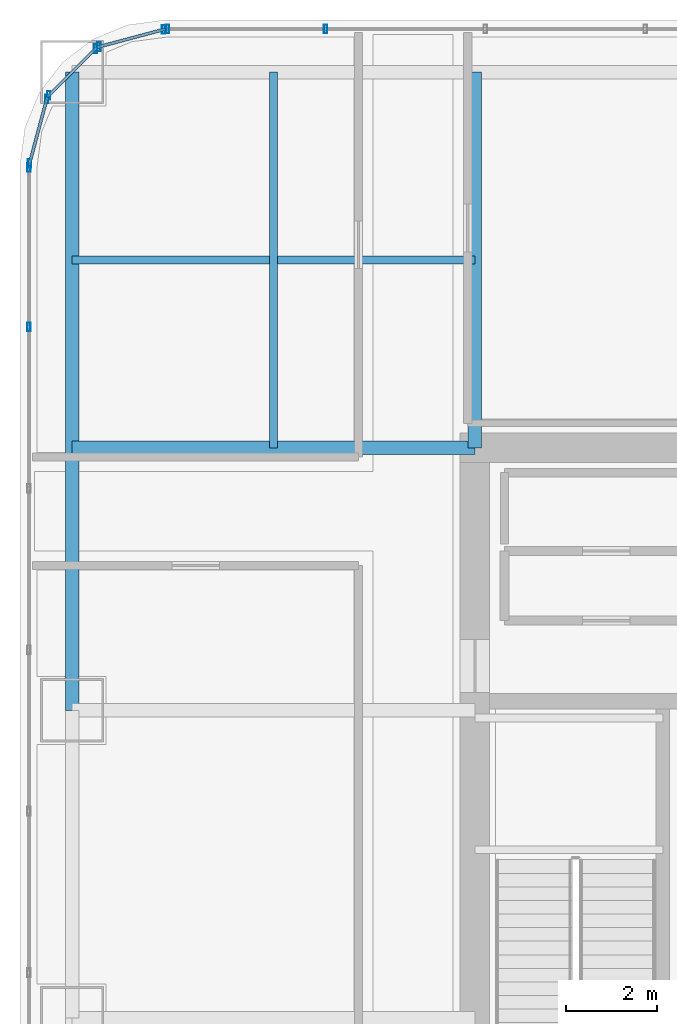
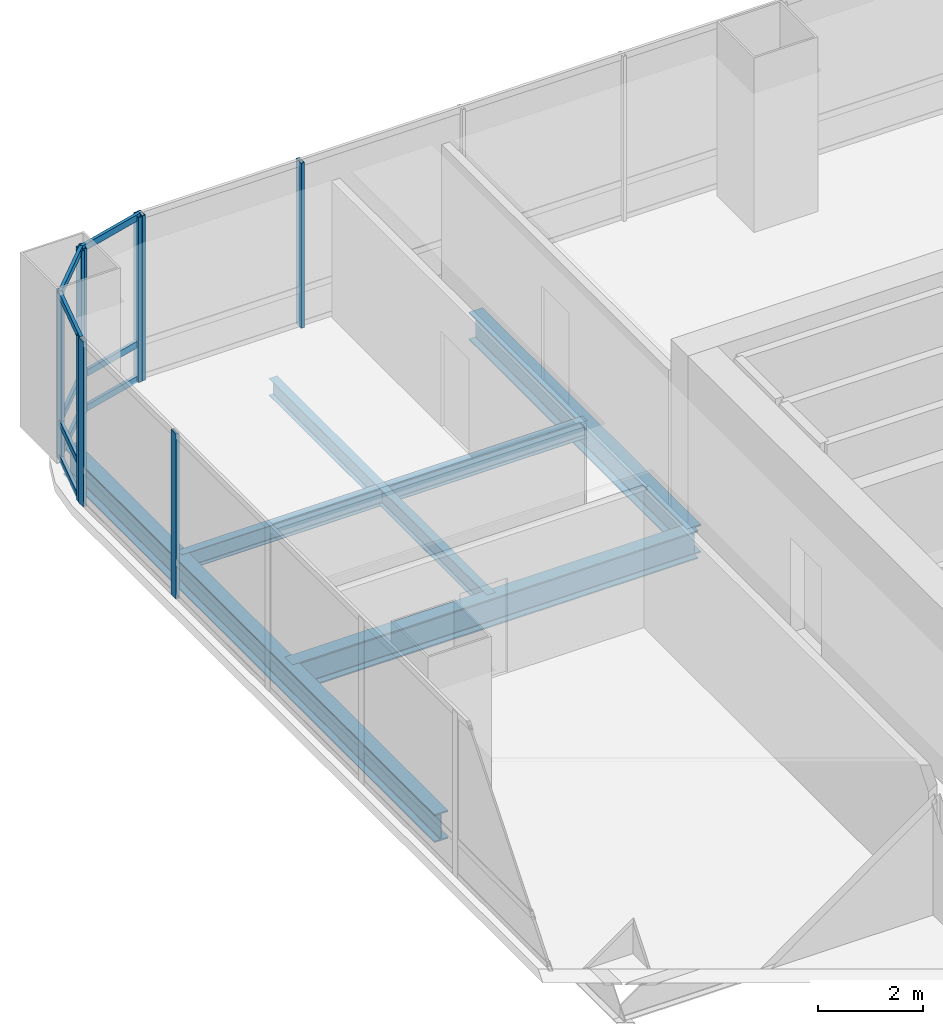
# One storey, part 20 of 36: 19 members, 5 beams, 5 elements without a shape of their own.
"""IFC4 building model written with IfcOpenShell, lengths in metres."""

from ifc_helpers import new_model, si_unit, direction, frame, origin, origin_2d, place, context, subcontext, project, spatial, hollow_rectangle, i_section, extrude, material, material_profile, profile_set, type_object, element, aggregate, save


model = new_model("IFC4")

# Units and contexts
model_context = context("Model", 3, precision=1e-05, world=origin(), true_north=direction((0.0, 1.0)))
body_context = subcontext(model_context, "Body", "Model", "MODEL_VIEW")
ifc_project = project(units=[si_unit("LENGTHUNIT", "METRE"), si_unit("AREAUNIT", "SQUARE_METRE"), si_unit("VOLUMEUNIT", "CUBIC_METRE"), si_unit("PLANEANGLEUNIT", "RADIAN"), si_unit("MASSUNIT", "GRAM", prefix="KILO")], contexts=[model_context])

# Site, building, storey
site_placement = place(None, origin())
site = spatial("IfcSite", under=ifc_project, at=site_placement, CompositionType="ELEMENT")
building_placement = place(site_placement, origin())
building = spatial("IfcBuilding", under=site, at=building_placement, Name="Punatoya Terracotta Tower", CompositionType="ELEMENT")
storey_placement = place(building_placement, frame((0.0, 0.0, 208.64990234375)))
storey = spatial("IfcBuildingStorey", under=building, at=storey_placement, Name="L49", CompositionType="ELEMENT", Elevation=208.64990234375)

# Beams
ifc_material_1 = material(Name="Steel S355", Category="steel")
ifc_material_profile_1 = material_profile(ifc_material_1, i_section(OverallWidth=0.300048828125, OverallDepth=0.64990234375, WebThickness=0.01611328125, FlangeThickness=0.031005859375, FilletRadius=0.01806640625, at=origin_2d()))
ifc_profile_set_1 = profile_set([ifc_material_profile_1], Name="Steel S355")
beam_type_1 = type_object("IfcBeamType", Name="BM-PRI-650", PredefinedType="BEAM", material=ifc_profile_set_1)
beam_1_placement = place(storey_placement, frame((-19.10009765625, 3.39990234375, -0.544921875), z_axis=(0.0, 1.0, 0.0), x_axis=(-1.0, 0.0, 0.0)))
element("IfcBeam", 1, at=beam_1_placement, inside=storey, type_object=beam_type_1, Name="BM-L49-RG-W3", PredefinedType="BEAM", context=body_context, shape_type="SweptSolid", body=[
    extrude(i_section(OverallWidth=0.300048828125, OverallDepth=0.64990234375, WebThickness=0.01611328125, FlangeThickness=0.031005859375, FilletRadius=0.01806640625, at=origin_2d()), origin(), (0.0, 0.0, 1.0), 14.10009765625),
])
beam_2_placement = place(storey_placement, frame((-19.10009765625, 9.199951171875, -0.544921875), z_axis=(1.0, 0.0, 0.0), x_axis=(0.0, 1.0, 0.0)))
element("IfcBeam", 2, at=beam_2_placement, inside=storey, type_object=beam_type_1, Name="BM-L49-PR-WN", PredefinedType="BEAM", context=body_context, shape_type="SweptSolid", body=[
    extrude(i_section(OverallWidth=0.300048828125, OverallDepth=0.64990234375, WebThickness=0.01611328125, FlangeThickness=0.031005859375, FilletRadius=0.01806640625, at=origin_2d()), origin(), (0.0, 0.0, 1.0), 8.900146484375),
])
beam_3_placement = place(storey_placement, frame((-10.199951171875, 9.199951171875, -0.544921875), z_axis=(0.0, 1.0, 0.0), x_axis=(-1.0, 0.0, 0.0)))
element("IfcBeam", 3, at=beam_3_placement, inside=storey, type_object=beam_type_1, Name="BM-L49-PR-N1", PredefinedType="BEAM", context=body_context, shape_type="SweptSolid", body=[
    extrude(i_section(OverallWidth=0.300048828125, OverallDepth=0.64990234375, WebThickness=0.01611328125, FlangeThickness=0.031005859375, FilletRadius=0.01806640625, at=origin_2d()), origin(), (0.0, 0.0, 1.0), 8.300048828125),
])
ifc_material_profile_2 = material_profile(ifc_material_1, i_section(OverallWidth=0.179931640625, OverallDepth=0.39990234375, WebThickness=0.008544921875, FlangeThickness=0.013427734375, FilletRadius=0.01806640625, at=origin_2d()))
ifc_profile_set_2 = profile_set([ifc_material_profile_2], Name="Steel S355")
beam_type_2 = type_object("IfcBeamType", Name="BM-SEC-400", PredefinedType="JOIST", material=ifc_profile_set_2)
beam_4_placement = place(storey_placement, frame((-19.10009765625, 13.35009765625, -0.419921875), z_axis=(1.0, 0.0, 0.0), x_axis=(0.0, 1.0, 0.0)))
element("IfcBeam", 4, at=beam_4_placement, inside=storey, type_object=beam_type_2, Name="BM-L49-SJN-1", PredefinedType="JOIST", context=body_context, shape_type="SweptSolid", body=[
    extrude(i_section(OverallWidth=0.179931640625, OverallDepth=0.39990234375, WebThickness=0.008544921875, FlangeThickness=0.013427734375, FilletRadius=0.01806640625, at=origin_2d()), origin(), (0.0, 0.0, 1.0), 8.900146484375),
])
beam_5_placement = place(storey_placement, frame((-14.64990234375, 9.199951171875, -0.419921875), z_axis=(0.0, 1.0, 0.0), x_axis=(-1.0, 0.0, 0.0)))
element("IfcBeam", 5, at=beam_5_placement, inside=storey, type_object=beam_type_2, Name="BM-L49-SJW-2", PredefinedType="JOIST", context=body_context, shape_type="SweptSolid", body=[
    extrude(i_section(OverallWidth=0.179931640625, OverallDepth=0.39990234375, WebThickness=0.008544921875, FlangeThickness=0.013427734375, FilletRadius=0.01806640625, at=origin_2d()), origin(), (0.0, 0.0, 1.0), 8.300048828125),
])

# Curtain wall, members
ifc_material_2 = material(Name="Aluminium 6063-T6 + Double Low-E Glass", Category="aluminium")
curtain_wall_type = type_object("IfcCurtainWallType", Name="CW-M2", PredefinedType="NOTDEFINED", material=ifc_material_2)
curtain_wall_1_placement = place(storey_placement, origin())
curtain_wall_1 = element("IfcCurtainWall", 6, at=curtain_wall_1_placement, inside=storey, type_object=curtain_wall_type, Name="L49 Curtain Wall CW-L49-N09-1", PredefinedType="NOTDEFINED")
ifc_material_3 = material(Name="Aluminium 6063-T6", Category="aluminium")
ifc_material_profile_3 = material_profile(ifc_material_3, hollow_rectangle(XDim=0.072021484375, YDim=0.195068359375, WallThickness=0.00439453125, at=origin_2d()))
ifc_profile_set_3 = profile_set([ifc_material_profile_3], Name="Aluminium 6063-T6")
member_type_1 = type_object("IfcMemberType", Name="CW-MUL-M2", PredefinedType="MULLION", material=ifc_profile_set_3)
member_1_placement = place(storey_placement, frame((-13.5029296875, 18.449951171875, 0.0), z_axis=(0.0, 0.0, 1.0), x_axis=(1.0, 0.0, 0.0)))
member_1 = element("IfcMember", 7, at=member_1_placement, type_object=member_type_1, Name="CW-L49-N09-1 Mullion 10", PredefinedType="MULLION", context=body_context, shape_type="SweptSolid", body=[
    extrude(hollow_rectangle(XDim=0.072021484375, YDim=0.195068359375, WallThickness=0.00439453125, at=origin_2d()), origin(), (0.0, 0.0, 1.0), 3.830078125),
])
member_2_placement = place(storey_placement, frame((-16.991943359375, 18.449951171875, 0.0), z_axis=(0.0, 0.0, 1.0), x_axis=(1.0, 0.0, 0.0)))
member_2 = element("IfcMember", 8, at=member_2_placement, type_object=member_type_1, Name="CW-L49-N09-1 Mullion 11", PredefinedType="MULLION", context=body_context, shape_type="SweptSolid", body=[
    extrude(hollow_rectangle(XDim=0.072021484375, YDim=0.195068359375, WallThickness=0.00439453125, at=origin_2d()), origin(), (0.0, 0.0, 1.0), 3.830078125),
])
aggregate(curtain_wall_1, [member_1, member_2])

curtain_wall_2_placement = place(storey_placement, origin())
curtain_wall_2 = element("IfcCurtainWall", 9, at=curtain_wall_2_placement, inside=storey, type_object=curtain_wall_type, Name="L49 Curtain Wall CW-L49-CRN10", PredefinedType="NOTDEFINED")
member_3_placement = place(storey_placement, frame((-17.080322265625, 18.4384765625, 0.0), z_axis=(0.0, 0.0, 1.0), x_axis=(1.0, 0.0, 0.0)))
member_3 = element("IfcMember", 10, at=member_3_placement, type_object=member_type_1, Name="CW-L49-CRN10 Mullion 00", PredefinedType="MULLION", context=body_context, shape_type="SweptSolid", body=[
    extrude(hollow_rectangle(XDim=0.072021484375, YDim=0.195068359375, WallThickness=0.00439453125, at=origin_2d()), origin(), (0.0, 0.0, 1.0), 3.830078125),
])
member_4_placement = place(storey_placement, frame((-18.505615234375, 18.05810546875, 0.0), z_axis=(0.0, 0.0, 1.0), x_axis=(1.0, 0.0, 0.0)))
member_4 = element("IfcMember", 11, at=member_4_placement, type_object=member_type_1, Name="CW-L49-CRN10 Mullion 01", PredefinedType="MULLION", context=body_context, shape_type="SweptSolid", body=[
    extrude(hollow_rectangle(XDim=0.072021484375, YDim=0.195068359375, WallThickness=0.00439453125, at=origin_2d()), origin(), (0.0, 0.0, 1.0), 3.830078125),
])

curtain_wall_3_placement = place(storey_placement, origin())
curtain_wall_3 = element("IfcCurtainWall", 12, at=curtain_wall_3_placement, inside=storey, type_object=curtain_wall_type, Name="L49 Curtain Wall CW-L49-CRN11", PredefinedType="NOTDEFINED")
member_5_placement = place(storey_placement, frame((-18.580810546875, 18.014892578125, 0.0), z_axis=(0.0, 0.0, 1.0), x_axis=(1.0, 0.0, 0.0)))
member_5 = element("IfcMember", 13, at=member_5_placement, type_object=member_type_1, Name="CW-L49-CRN11 Mullion 00", PredefinedType="MULLION", context=body_context, shape_type="SweptSolid", body=[
    extrude(hollow_rectangle(XDim=0.072021484375, YDim=0.195068359375, WallThickness=0.00439453125, at=origin_2d()), origin(), (0.0, 0.0, 1.0), 3.830078125),
])
member_6_placement = place(storey_placement, frame((-19.61474609375, 16.98095703125, 0.0), z_axis=(0.0, 0.0, 1.0), x_axis=(1.0, 0.0, 0.0)))
member_6 = element("IfcMember", 14, at=member_6_placement, type_object=member_type_1, Name="CW-L49-CRN11 Mullion 01", PredefinedType="MULLION", context=body_context, shape_type="SweptSolid", body=[
    extrude(hollow_rectangle(XDim=0.072021484375, YDim=0.195068359375, WallThickness=0.00439453125, at=origin_2d()), origin(), (0.0, 0.0, 1.0), 3.830078125),
])

curtain_wall_4_placement = place(storey_placement, origin())
curtain_wall_4 = element("IfcCurtainWall", 15, at=curtain_wall_4_placement, inside=storey, type_object=curtain_wall_type, Name="L49 Curtain Wall CW-L49-CRN12", PredefinedType="NOTDEFINED")
member_7_placement = place(storey_placement, frame((-19.658203125, 16.905517578125, 0.0), z_axis=(0.0, 0.0, 1.0), x_axis=(1.0, 0.0, 0.0)))
member_7 = element("IfcMember", 16, at=member_7_placement, type_object=member_type_1, Name="CW-L49-CRN12 Mullion 00", PredefinedType="MULLION", context=body_context, shape_type="SweptSolid", body=[
    extrude(hollow_rectangle(XDim=0.072021484375, YDim=0.195068359375, WallThickness=0.00439453125, at=origin_2d()), origin(), (0.0, 0.0, 1.0), 3.830078125),
])
member_8_placement = place(storey_placement, frame((-20.038330078125, 15.48046875, 0.0), z_axis=(0.0, 0.0, 1.0), x_axis=(1.0, 0.0, 0.0)))
member_8 = element("IfcMember", 17, at=member_8_placement, type_object=member_type_1, Name="CW-L49-CRN12 Mullion 01", PredefinedType="MULLION", context=body_context, shape_type="SweptSolid", body=[
    extrude(hollow_rectangle(XDim=0.072021484375, YDim=0.195068359375, WallThickness=0.00439453125, at=origin_2d()), origin(), (0.0, 0.0, 1.0), 3.830078125),
])

curtain_wall_5_placement = place(storey_placement, origin())
curtain_wall_5 = element("IfcCurtainWall", 18, at=curtain_wall_5_placement, inside=storey, type_object=curtain_wall_type, Name="L49 Curtain Wall CW-L49-W13-1", PredefinedType="NOTDEFINED")
member_9_placement = place(storey_placement, frame((-20.050048828125, 15.391845703125, 0.0), z_axis=(0.0, 0.0, 1.0), x_axis=(1.0, 0.0, 0.0)))
member_9 = element("IfcMember", 19, at=member_9_placement, type_object=member_type_1, Name="CW-L49-W13-1 Mullion 00", PredefinedType="MULLION", context=body_context, shape_type="SweptSolid", body=[
    extrude(hollow_rectangle(XDim=0.072021484375, YDim=0.195068359375, WallThickness=0.00439453125, at=origin_2d()), origin(), (0.0, 0.0, 1.0), 3.830078125),
])
member_10_placement = place(storey_placement, frame((-20.050048828125, 11.869384765625, 0.0), z_axis=(0.0, 0.0, 1.0), x_axis=(1.0, 0.0, 0.0)))
member_10 = element("IfcMember", 20, at=member_10_placement, type_object=member_type_1, Name="CW-L49-W13-1 Mullion 01", PredefinedType="MULLION", context=body_context, shape_type="SweptSolid", body=[
    extrude(hollow_rectangle(XDim=0.072021484375, YDim=0.195068359375, WallThickness=0.00439453125, at=origin_2d()), origin(), (0.0, 0.0, 1.0), 3.830078125),
])
aggregate(curtain_wall_5, [member_9, member_10])

# Member
ifc_material_profile_4 = material_profile(ifc_material_3, hollow_rectangle(XDim=0.068115234375, YDim=0.14990234375, WallThickness=0.00390625, at=origin_2d()))
ifc_profile_set_4 = profile_set([ifc_material_profile_4], Name="Aluminium 6063-T6")
member_type_2 = type_object("IfcMemberType", Name="CW-TRN-TYP", PredefinedType="USERDEFINED", material=ifc_profile_set_4)
member_11_placement = place(storey_placement, frame((-17.036865234375, 18.449951171875, 0.0400390625), z_axis=(-0.966224582397, -0.257701486942, 0.0), x_axis=(0.257701486942, -0.966224582397, 0.0)))
member_11 = element("IfcMember", 21, at=member_11_placement, type_object=member_type_2, Name="CW-L49-CRN10 Transom 1", ObjectType="TRANSOM", PredefinedType="USERDEFINED", context=body_context, shape_type="SweptSolid", body=[
    extrude(hollow_rectangle(XDim=0.068115234375, YDim=0.14990234375, WallThickness=0.00390625, at=origin_2d()), origin(), (0.0, 0.0, 1.0), 1.565185546875),
])

member_12_placement = place(storey_placement, frame((-17.036865234375, 18.449951171875, 0.85009765625), z_axis=(-0.966224582397, -0.257701486942, 0.0), x_axis=(0.257701486942, -0.966224582397, 0.0)))
member_12 = element("IfcMember", 22, at=member_12_placement, type_object=member_type_2, Name="CW-L49-CRN10 Transom 2", ObjectType="TRANSOM", PredefinedType="USERDEFINED", context=body_context, shape_type="SweptSolid", body=[
    extrude(hollow_rectangle(XDim=0.068115234375, YDim=0.14990234375, WallThickness=0.00390625, at=origin_2d()), origin(), (0.0, 0.0, 1.0), 1.565185546875),
])

member_13_placement = place(storey_placement, frame((-17.036865234375, 18.449951171875, 3.7900390625), z_axis=(-0.966224582397, -0.257701486942, 0.0), x_axis=(0.257701486942, -0.966224582397, 0.0)))
member_13 = element("IfcMember", 23, at=member_13_placement, type_object=member_type_2, Name="CW-L49-CRN10 Transom 3", ObjectType="TRANSOM", PredefinedType="USERDEFINED", context=body_context, shape_type="SweptSolid", body=[
    extrude(hollow_rectangle(XDim=0.068115234375, YDim=0.14990234375, WallThickness=0.00390625, at=origin_2d()), origin(), (0.0, 0.0, 1.0), 1.565185546875),
])

aggregate(curtain_wall_2, [member_3, member_4, member_11, member_12, member_13])

member_14_placement = place(storey_placement, frame((-18.549072265625, 18.046630859375, 0.0400390625), z_axis=(-0.707106781187, -0.707106781187, 0.0), x_axis=(0.707106781187, -0.707106781187, 0.0)))
member_14 = element("IfcMember", 24, at=member_14_placement, type_object=member_type_2, Name="CW-L49-CRN11 Transom 1", ObjectType="TRANSOM", PredefinedType="USERDEFINED", context=body_context, shape_type="SweptSolid", body=[
    extrude(hollow_rectangle(XDim=0.068115234375, YDim=0.14990234375, WallThickness=0.00390625, at=origin_2d()), origin(), (0.0, 0.0, 1.0), 1.552001953125),
])

member_15_placement = place(storey_placement, frame((-18.549072265625, 18.046630859375, 0.85009765625), z_axis=(-0.707106781187, -0.707106781187, 0.0), x_axis=(0.707106781187, -0.707106781187, 0.0)))
member_15 = element("IfcMember", 25, at=member_15_placement, type_object=member_type_2, Name="CW-L49-CRN11 Transom 2", ObjectType="TRANSOM", PredefinedType="USERDEFINED", context=body_context, shape_type="SweptSolid", body=[
    extrude(hollow_rectangle(XDim=0.068115234375, YDim=0.14990234375, WallThickness=0.00390625, at=origin_2d()), origin(), (0.0, 0.0, 1.0), 1.552001953125),
])

member_16_placement = place(storey_placement, frame((-18.549072265625, 18.046630859375, 3.7900390625), z_axis=(-0.707106781187, -0.707106781187, 0.0), x_axis=(0.707106781187, -0.707106781187, 0.0)))
member_16 = element("IfcMember", 26, at=member_16_placement, type_object=member_type_2, Name="CW-L49-CRN11 Transom 3", ObjectType="TRANSOM", PredefinedType="USERDEFINED", context=body_context, shape_type="SweptSolid", body=[
    extrude(hollow_rectangle(XDim=0.068115234375, YDim=0.14990234375, WallThickness=0.00390625, at=origin_2d()), origin(), (0.0, 0.0, 1.0), 1.552001953125),
])

aggregate(curtain_wall_3, [member_5, member_6, member_14, member_15, member_16])

member_17_placement = place(storey_placement, frame((-19.646484375, 16.94921875, 0.0400390625), z_axis=(-0.257847112249, -0.966185730957, 0.0), x_axis=(0.966185730957, -0.257847112249, 0.0)))
member_17 = element("IfcMember", 27, at=member_17_placement, type_object=member_type_2, Name="CW-L49-CRN12 Transom 1", ObjectType="TRANSOM", PredefinedType="USERDEFINED", context=body_context, shape_type="SweptSolid", body=[
    extrude(hollow_rectangle(XDim=0.068115234375, YDim=0.14990234375, WallThickness=0.00390625, at=origin_2d()), origin(), (0.0, 0.0, 1.0), 1.565185546875),
])

member_18_placement = place(storey_placement, frame((-19.646484375, 16.94921875, 0.85009765625), z_axis=(-0.257847112249, -0.966185730957, 0.0), x_axis=(0.966185730957, -0.257847112249, 0.0)))
member_18 = element("IfcMember", 28, at=member_18_placement, type_object=member_type_2, Name="CW-L49-CRN12 Transom 2", ObjectType="TRANSOM", PredefinedType="USERDEFINED", context=body_context, shape_type="SweptSolid", body=[
    extrude(hollow_rectangle(XDim=0.068115234375, YDim=0.14990234375, WallThickness=0.00390625, at=origin_2d()), origin(), (0.0, 0.0, 1.0), 1.565185546875),
])

member_19_placement = place(storey_placement, frame((-19.646484375, 16.94921875, 3.7900390625), z_axis=(-0.257847112249, -0.966185730957, 0.0), x_axis=(0.966185730957, -0.257847112249, 0.0)))
member_19 = element("IfcMember", 29, at=member_19_placement, type_object=member_type_2, Name="CW-L49-CRN12 Transom 3", ObjectType="TRANSOM", PredefinedType="USERDEFINED", context=body_context, shape_type="SweptSolid", body=[
    extrude(hollow_rectangle(XDim=0.068115234375, YDim=0.14990234375, WallThickness=0.00390625, at=origin_2d()), origin(), (0.0, 0.0, 1.0), 1.565185546875),
])

aggregate(curtain_wall_4, [member_7, member_8, member_17, member_18, member_19])

save(model, "model.ifc")
